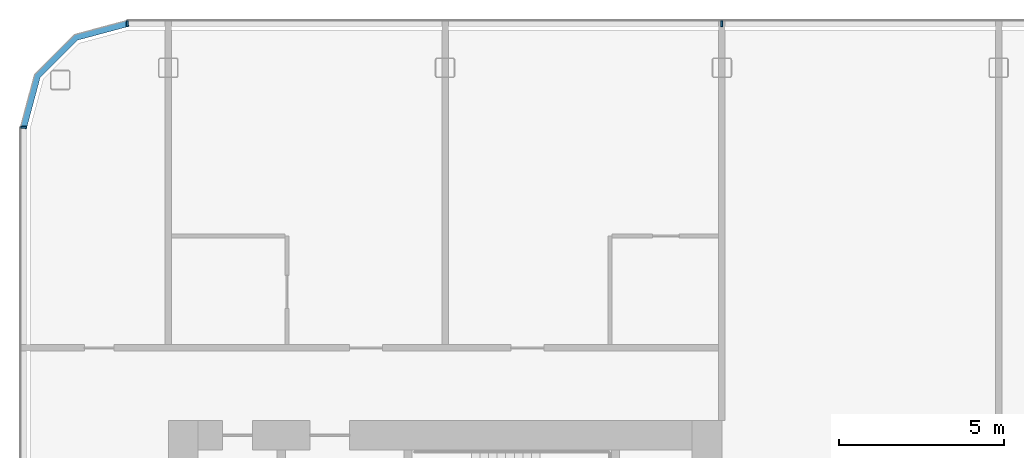
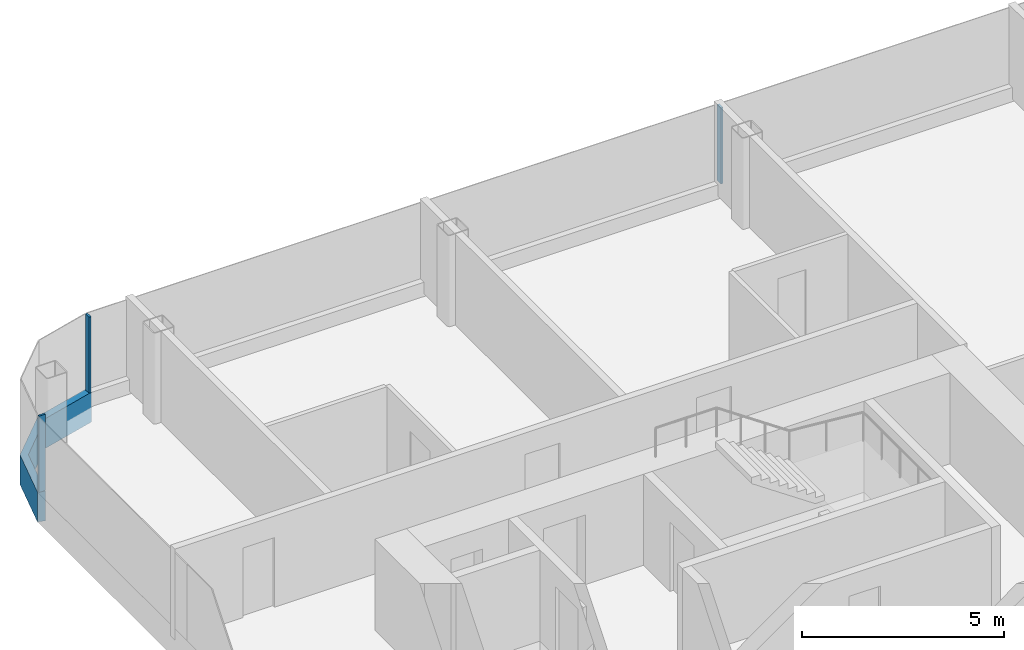
# One storey, part 6 of 25: 4 members, 3 elements without a shape of their own.
"""IFC4 building model written with IfcOpenShell, lengths in metres."""

from ifc_helpers import new_model, si_unit, direction, frame, origin, origin_2d, place, context, subcontext, project, spatial, polyline, rectangle, outline, extrude, material, layer, layer_set, material_profile, profile_set, type_object, element, aggregate, save


model = new_model("IFC4")

# Units and contexts
model_context = context("Model", 3, precision=1e-05, world=origin(), true_north=direction((0.0, 1.0)))
body_context = subcontext(model_context, "Body", "Model", "MODEL_VIEW")
ifc_project = project(units=[si_unit("LENGTHUNIT", "METRE"), si_unit("AREAUNIT", "SQUARE_METRE"), si_unit("VOLUMEUNIT", "CUBIC_METRE"), si_unit("PLANEANGLEUNIT", "RADIAN"), si_unit("MASSUNIT", "GRAM", prefix="KILO")], contexts=[model_context])

# Site, building, storey
site_placement = place(None, origin())
site = spatial("IfcSite", under=ifc_project, at=site_placement, CompositionType="ELEMENT")
building_placement = place(site_placement, origin())
building = spatial("IfcBuilding", under=site, at=building_placement, Name="Hakoniwa Tower and Hamabe Station Hall", CompositionType="ELEMENT")
storey_placement = place(building_placement, frame((0.0, 0.0, 202.60009765625)))
storey = spatial("IfcBuildingStorey", under=building, at=storey_placement, Name="L57", CompositionType="ELEMENT", Elevation=202.60009765625)

# Curtain wall, member
ifc_material_1 = material(Name="Dark low-e laminated glass", Category="glass")
ifc_layer = layer(ifc_material_1, 0.199951171875)
ifc_layer_set = layer_set([ifc_layer], Name="CW-1 UNITISED GUEST")
curtain_wall_type = type_object("IfcCurtainWallType", Name="CW-1 UNITISED GUEST", PredefinedType="NOTDEFINED", material=ifc_layer_set)
curtain_wall_1_placement = place(storey_placement, origin())
curtain_wall_1 = element("IfcCurtainWall", 1, at=curtain_wall_1_placement, inside=storey, type_object=curtain_wall_type, Name="CW-1 curtain wall", PredefinedType="NOTDEFINED")
ifc_material_2 = material(Name="Aluminium 6063-T5 black anodised", Category="aluminium")
ifc_material_profile_1 = material_profile(ifc_material_2, rectangle(XDim=0.199951171875, YDim=0.89990234375, at=origin_2d()), Name="CW SLAB-EDGE BAND 900X200")
ifc_profile_set_1 = profile_set([ifc_material_profile_1], Name="Aluminium 6063-T5 black anodised")
member_type_1 = type_object("IfcMemberType", Name="CW SLAB-EDGE BAND 900X200", PredefinedType="USERDEFINED", material=ifc_profile_set_1)
member_1_placement = place(storey_placement, frame((0.0, 0.0, -0.550048828125)))
member_1 = element("IfcMember", 2, at=member_1_placement, type_object=member_type_1, Name="CW-1 transom", ObjectType="TRANSOM", PredefinedType="USERDEFINED", context=body_context, shape_type="SweptSolid", body=[
    extrude(outline(polyline([(-34.839599609375, 20.550048828125), (-36.455322265625, 20.116943359375), (-37.6669921875, 18.9052734375), (-38.10009765625, 17.28955078125), (-37.90673828125, 17.23779296875), (-37.48779296875, 18.8017578125), (-36.351806640625, 19.937744140625), (-34.787841796875, 20.35693359375), (-34.839599609375, 20.550048828125)])), origin(), (0.0, 0.0, 1.0), 0.89990234375),
])
aggregate(curtain_wall_1, [member_1])

# Curtain wall, members
curtain_wall_2_placement = place(storey_placement, origin())
curtain_wall_2 = element("IfcCurtainWall", 3, at=curtain_wall_2_placement, inside=storey, type_object=curtain_wall_type, Name="CW-1 curtain wall", PredefinedType="NOTDEFINED")
ifc_material_3 = material(Name="Aluminium 6063-T5 black anodised", Category="aluminium")
ifc_material_profile_2 = material_profile(ifc_material_3, rectangle(XDim=0.06005859375, YDim=0.179931640625, at=origin_2d()), Name="CW-1 MULLION 60X180")
ifc_profile_set_2 = profile_set([ifc_material_profile_2], Name="Aluminium 6063-T5 black anodised")
member_type_2 = type_object("IfcMemberType", Name="CW-1 MULLION 60X180", PredefinedType="MULLION", material=ifc_profile_set_2)
member_2_placement = place(storey_placement, frame((-16.800048828125, 20.431884765625, 0.349853515625), z_axis=(0.0, 0.0, 1.0), x_axis=(-1.0, 0.0, 0.0)))
member_2 = element("IfcMember", 4, at=member_2_placement, type_object=member_type_2, Name="CW-1 mullion", PredefinedType="MULLION", context=body_context, shape_type="SweptSolid", body=[
    extrude(rectangle(XDim=0.06005859375, YDim=0.179931640625, at=origin_2d()), origin(), (0.0, 0.0, 1.0), 2.300048828125),
])
member_3_placement = place(storey_placement, frame((-34.839599609375, 20.431884765625, 0.349853515625), z_axis=(0.0, 0.0, 1.0), x_axis=(-1.0, 0.0, 0.0)))
member_3 = element("IfcMember", 5, at=member_3_placement, type_object=member_type_2, Name="CW-1 mullion", PredefinedType="MULLION", context=body_context, shape_type="SweptSolid", body=[
    extrude(rectangle(XDim=0.06005859375, YDim=0.179931640625, at=origin_2d()), origin(), (0.0, 0.0, 1.0), 2.300048828125),
])
aggregate(curtain_wall_2, [member_2, member_3])

# Curtain wall, member
curtain_wall_3_placement = place(storey_placement, origin())
curtain_wall_3 = element("IfcCurtainWall", 6, at=curtain_wall_3_placement, inside=storey, type_object=curtain_wall_type, Name="CW-1 curtain wall", PredefinedType="NOTDEFINED")
member_4_placement = place(storey_placement, frame((-37.98193359375, 17.28955078125, 0.349853515625), z_axis=(0.0, 0.0, 1.0), x_axis=(0.0, -1.0, 0.0)))
member_4 = element("IfcMember", 7, at=member_4_placement, type_object=member_type_2, Name="CW-1 mullion", PredefinedType="MULLION", context=body_context, shape_type="SweptSolid", body=[
    extrude(rectangle(XDim=0.06005859375, YDim=0.179931640625, at=origin_2d()), origin(), (0.0, 0.0, 1.0), 2.300048828125),
])
aggregate(curtain_wall_3, [member_4])

save(model, "model.ifc")
